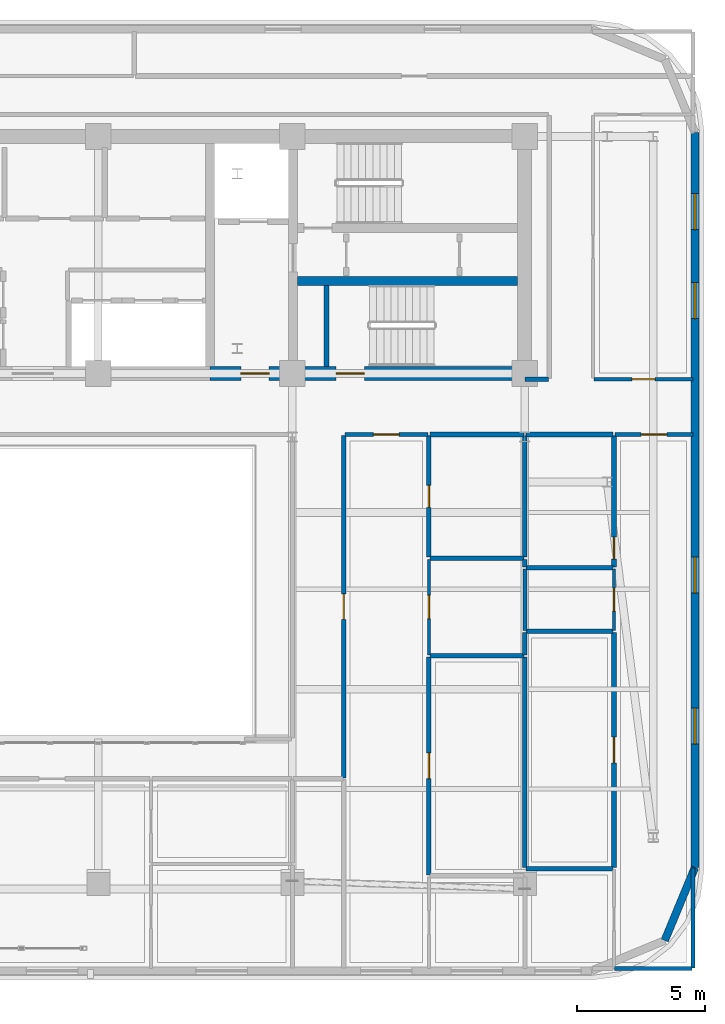
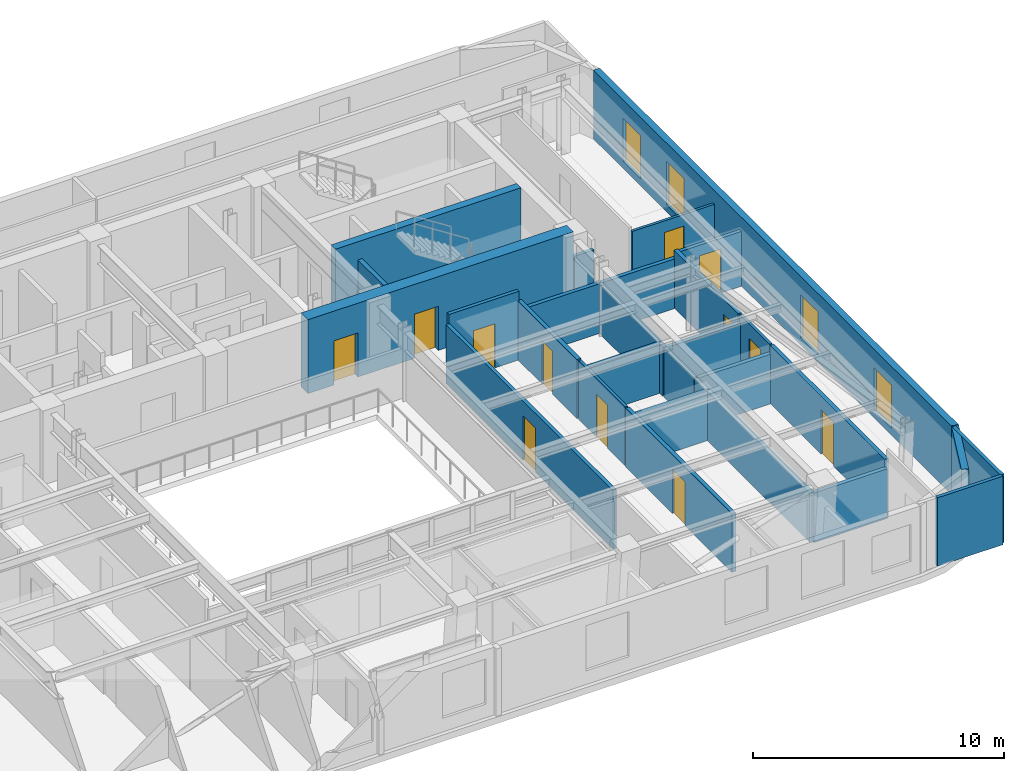
# One storey, part 9 of 15: 30 walls, 12 doors, 4 windows, 16 openings.
"""IFC4 building model written with IfcOpenShell, lengths in metres."""

from ifc_helpers import new_model, si_unit, direction, frame, frame_2d, origin, place, context, subcontext, project, spatial, rectangle, extrude, material, layer, layer_set, type_object, element, fill, save


model = new_model("IFC4")

# Units and contexts
model_context = context("Model", 3, precision=1e-05, world=origin(), true_north=direction((0.0, 1.0)))
body_context = subcontext(model_context, "Body", "Model", "MODEL_VIEW")
ifc_project = project(units=[si_unit("LENGTHUNIT", "METRE"), si_unit("AREAUNIT", "SQUARE_METRE"), si_unit("VOLUMEUNIT", "CUBIC_METRE"), si_unit("PLANEANGLEUNIT", "RADIAN"), si_unit("MASSUNIT", "GRAM", prefix="KILO")], contexts=[model_context])

# Site, building, storey
site_placement = place(None, origin())
site = spatial("IfcSite", under=ifc_project, at=site_placement, CompositionType="ELEMENT")
building_placement = place(site_placement, origin())
building = spatial("IfcBuilding", under=site, at=building_placement, Name="Zarnavel Station Tower", CompositionType="ELEMENT")
storey_placement = place(building_placement, frame((0.0, 0.0, 200.39990234375)))
storey = spatial("IfcBuildingStorey", under=building, at=storey_placement, Name="L54", CompositionType="ELEMENT", Elevation=200.39990234375)

# Wall
ifc_material_1 = material(Name="Concrete C50/60", Category="concrete")
ifc_layer_1 = layer(ifc_material_1, 0.35009765625)
ifc_layer_set_1 = layer_set([ifc_layer_1], Name="CW_350")
wall_type_1 = type_object("IfcWallType", Name="CW_350", PredefinedType="SHEAR", material=ifc_layer_set_1)
wall_1_placement = place(storey_placement, frame((36.554931640625, 31.419921875, 0.0), z_axis=(0.0, 0.0, 1.0), x_axis=(1.0, 0.0, 0.0)))
element("IfcWall", 1, at=wall_1_placement, inside=storey, type_object=wall_type_1, Name="L54 Rear Core Shear Wall DIV-H3", PredefinedType="SHEAR", context=body_context, shape_type="SweptSolid", body=[
    extrude(rectangle(XDim=8.550048828125, YDim=0.35009765625, at=frame_2d((4.27490234375, 0.0))), origin(), (0.0, 0.0, 1.0), 3.60009765625),
])

# Wall, openings, doors
ifc_material_2 = material(Name="Concrete C50/60", Category="concrete")
ifc_layer_2 = layer(ifc_material_2, 0.550048828125)
ifc_layer_set_2 = layer_set([ifc_layer_2], Name="CW_550")
wall_type_2 = type_object("IfcWallType", Name="CW_550", PredefinedType="SHEAR", material=ifc_layer_set_2)
wall_2_placement = place(storey_placement, frame((45.3798828125, 27.820068359375, 0.0), z_axis=(0.0, 0.0, 1.0), x_axis=(-1.0, 0.0, 0.0)))
wall_2 = element("IfcWall", 2, at=wall_2_placement, inside=storey, type_object=wall_type_2, Name="L54 Rear Core Shear Wall S-E", PredefinedType="SHEAR", context=body_context, shape_type="SweptSolid", body=[
    extrude(rectangle(XDim=12.22998046875, YDim=0.550048828125, at=frame_2d((6.114990234375, 0.0))), origin(), (0.0, 0.0, 1.0), 3.60009765625),
])
opening_1_placement = place(wall_2_placement, frame((9.929931640625, 0.0, 0.0)))
opening_1 = element("IfcOpeningElement", 3, at=opening_1_placement, cuts=wall_2, Name="Opening FD01", PredefinedType="OPENING", context=body_context, shape_type="SweptSolid", body=[
    extrude(rectangle(XDim=1.10009765625, YDim=2.14990234375, at=frame_2d((0.550048828125, 1.074951171875))), frame((0.0, 0.284912109375, 0.0), z_axis=(0.0, -1.0, 0.0), x_axis=(1.0, 0.0, 0.0)), (0.0, 0.0, 1.0), 0.570068359375),
])
opening_2_placement = place(wall_2_placement, frame((6.22998046875, 0.0, 0.0)))
opening_2 = element("IfcOpeningElement", 4, at=opening_2_placement, cuts=wall_2, Name="Opening FD01", PredefinedType="OPENING", context=body_context, shape_type="SweptSolid", body=[
    extrude(rectangle(XDim=1.10009765625, YDim=2.14990234375, at=frame_2d((0.550048828125, 1.074951171875))), frame((0.0, 0.284912109375, 0.0), z_axis=(0.0, -1.0, 0.0), x_axis=(1.0, 0.0, 0.0)), (0.0, 0.0, 1.0), 0.570068359375),
])
ifc_material_3 = material(Name="Painted Galvanised Steel and Hardwood Leaf", Category="steel")
door_type_1 = type_object("IfcDoorType", Name="ID_STAIR_1100", OperationType="NOTDEFINED", PredefinedType="DOOR", material=ifc_material_3)
door_1_placement = place(opening_1_placement, origin())
door_1 = element("IfcDoor", 5, at=door_1_placement, inside=storey, type_object=door_type_1, Name="L54 East Firefighting Lobby Door", OperationType="SINGLE_SWING_LEFT", OverallHeight=2.14990234375, OverallWidth=1.10009765625, PredefinedType="DOOR", context=body_context, shape_type="SweptSolid", body=[
    extrude(rectangle(XDim=1.10009765625, YDim=2.14990234375, at=frame_2d((0.550048828125, 1.074951171875))), frame((0.0, 0.02490234375, 0.0), z_axis=(0.0, -1.0, 0.0), x_axis=(1.0, 0.0, 0.0)), (0.0, 0.0, 1.0), 0.050048828125),
])
fill(opening_1, door_1)
door_2_placement = place(opening_2_placement, origin())
door_2 = element("IfcDoor", 6, at=door_2_placement, inside=storey, type_object=door_type_1, Name="L54 Stair ST3 Corridor Fire Door", OperationType="SINGLE_SWING_RIGHT", OverallHeight=2.14990234375, OverallWidth=1.10009765625, PredefinedType="DOOR", context=body_context, shape_type="SweptSolid", body=[
    extrude(rectangle(XDim=1.10009765625, YDim=2.14990234375, at=frame_2d((0.550048828125, 1.074951171875))), frame((0.0, 0.02490234375, 0.0), z_axis=(0.0, -1.0, 0.0), x_axis=(1.0, 0.0, 0.0)), (0.0, 0.0, 1.0), 0.050048828125),
])
fill(opening_2, door_2)

# Wall
ifc_material_4 = material(Name="Precast concrete C45/55 (Dark Basalt Finish)", Category="masonry")
ifc_layer_3 = layer(ifc_material_4, 0.300048828125)
ifc_layer_set_3 = layer_set([ifc_layer_3], Name="EW_BASALT_300")
wall_type_3 = type_object("IfcWallType", Name="EW_BASALT_300", PredefinedType="SOLIDWALL", material=ifc_layer_set_3)
wall_3_placement = place(storey_placement, frame((52.02001953125, 8.60009765625, 0.0), z_axis=(0.0, 0.0, 1.0), x_axis=(-0.382676475685, -0.923882414032, 0.0)))
element("IfcWall", 7, at=wall_3_placement, inside=storey, type_object=wall_type_3, Name="L54 Exterior Basalt Masonry Frame Wall 02", PredefinedType="SOLIDWALL", context=body_context, shape_type="SweptSolid", body=[
    extrude(rectangle(XDim=3.076904296875, YDim=0.300048828125, at=frame_2d((1.53857421875, 0.0))), origin(), (0.0, 0.0, 1.0), 3.340087890625),
])

# Wall, openings, windows
wall_4_placement = place(storey_placement, frame((52.02001953125, 37.199951171875, 0.0), z_axis=(0.0, 0.0, 1.0), x_axis=(0.0, -1.0, 0.0)))
wall_4 = element("IfcWall", 8, at=wall_4_placement, inside=storey, type_object=wall_type_3, Name="L54 Exterior Basalt Masonry Frame Wall 03", PredefinedType="SOLIDWALL", context=body_context, shape_type="SweptSolid", body=[
    extrude(rectangle(XDim=28.599853515625, YDim=0.300048828125, at=frame_2d((14.2998046875, 0.0))), origin(), (0.0, 0.0, 1.0), 3.340087890625),
])
opening_3_placement = place(wall_4_placement, frame((2.3798828125, 0.0, 0.340087890625)))
opening_3 = element("IfcOpeningElement", 9, at=opening_3_placement, cuts=wall_4, Name="Opening WN04", PredefinedType="OPENING", context=body_context, shape_type="SweptSolid", body=[
    extrude(rectangle(XDim=1.39990234375, YDim=2.10009765625, at=frame_2d((0.699951171875, 1.050048828125))), frame((0.0, 0.159912109375, 0.0), z_axis=(0.0, -1.0, 0.0), x_axis=(1.0, 0.0, 0.0)), (0.0, 0.0, 1.0), 0.320068359375),
])
opening_4_placement = place(wall_4_placement, frame((5.840087890625, 0.0, 0.340087890625)))
opening_4 = element("IfcOpeningElement", 10, at=opening_4_placement, cuts=wall_4, Name="Opening WN04", PredefinedType="OPENING", context=body_context, shape_type="SweptSolid", body=[
    extrude(rectangle(XDim=1.39990234375, YDim=2.10009765625, at=frame_2d((0.699951171875, 1.050048828125))), frame((0.0, 0.159912109375, 0.0), z_axis=(0.0, -1.0, 0.0), x_axis=(1.0, 0.0, 0.0)), (0.0, 0.0, 1.0), 0.320068359375),
])
opening_5_placement = place(wall_4_placement, frame((16.526611328125, 0.0, 0.340087890625)))
opening_5 = element("IfcOpeningElement", 11, at=opening_5_placement, cuts=wall_4, Name="Opening WN04", PredefinedType="OPENING", context=body_context, shape_type="SweptSolid", body=[
    extrude(rectangle(XDim=1.39990234375, YDim=2.10009765625, at=frame_2d((0.699951171875, 1.050048828125))), frame((0.0, 0.159912109375, 0.0), z_axis=(0.0, -1.0, 0.0), x_axis=(1.0, 0.0, 0.0)), (0.0, 0.0, 1.0), 0.320068359375),
])
opening_6_placement = place(wall_4_placement, frame((22.4033203125, 0.0, 0.340087890625)))
opening_6 = element("IfcOpeningElement", 12, at=opening_6_placement, cuts=wall_4, Name="Opening WN04", PredefinedType="OPENING", context=body_context, shape_type="SweptSolid", body=[
    extrude(rectangle(XDim=1.39990234375, YDim=2.10009765625, at=frame_2d((0.699951171875, 1.050048828125))), frame((0.0, 0.159912109375, 0.0), z_axis=(0.0, -1.0, 0.0), x_axis=(1.0, 0.0, 0.0)), (0.0, 0.0, 1.0), 0.320068359375),
])
ifc_material_5 = material(Name="Thermally Broken Black Aluminium and Low-E Dark Glass", Category="aluminium")
window_type = type_object("IfcWindowType", Name="WN_1400x2100", PartitioningType="DOUBLE_PANEL_VERTICAL", PredefinedType="WINDOW", material=ifc_material_5)
window_1_placement = place(opening_3_placement, origin())
window_1 = element("IfcWindow", 13, at=window_1_placement, inside=storey, type_object=window_type, Name="L54 Recessed Facade Window 01", OverallHeight=2.10009765625, OverallWidth=1.39990234375, PartitioningType="SINGLE_PANEL", PredefinedType="WINDOW", context=body_context, shape_type="SweptSolid", body=[
    extrude(rectangle(XDim=1.39990234375, YDim=2.10009765625, at=frame_2d((0.699951171875, 1.050048828125))), frame((0.0, 0.030029296875, 0.0), z_axis=(0.0, -1.0, 0.0), x_axis=(1.0, 0.0, 0.0)), (0.0, 0.0, 1.0), 0.06005859375),
])
fill(opening_3, window_1)
window_2_placement = place(opening_4_placement, origin())
window_2 = element("IfcWindow", 14, at=window_2_placement, inside=storey, type_object=window_type, Name="L54 Recessed Facade Window 02", OverallHeight=2.10009765625, OverallWidth=1.39990234375, PartitioningType="SINGLE_PANEL", PredefinedType="WINDOW", context=body_context, shape_type="SweptSolid", body=[
    extrude(rectangle(XDim=1.39990234375, YDim=2.10009765625, at=frame_2d((0.699951171875, 1.050048828125))), frame((0.0, 0.030029296875, 0.0), z_axis=(0.0, -1.0, 0.0), x_axis=(1.0, 0.0, 0.0)), (0.0, 0.0, 1.0), 0.06005859375),
])
fill(opening_4, window_2)
window_3_placement = place(opening_5_placement, origin())
window_3 = element("IfcWindow", 15, at=window_3_placement, inside=storey, type_object=window_type, Name="L54 Recessed Facade Window 03", OverallHeight=2.10009765625, OverallWidth=1.39990234375, PartitioningType="SINGLE_PANEL", PredefinedType="WINDOW", context=body_context, shape_type="SweptSolid", body=[
    extrude(rectangle(XDim=1.39990234375, YDim=2.10009765625, at=frame_2d((0.699951171875, 1.050048828125))), frame((0.0, 0.030029296875, 0.0), z_axis=(0.0, -1.0, 0.0), x_axis=(1.0, 0.0, 0.0)), (0.0, 0.0, 1.0), 0.06005859375),
])
fill(opening_5, window_3)
window_4_placement = place(opening_6_placement, origin())
window_4 = element("IfcWindow", 16, at=window_4_placement, inside=storey, type_object=window_type, Name="L54 Recessed Facade Window 04", OverallHeight=2.10009765625, OverallWidth=1.39990234375, PartitioningType="SINGLE_PANEL", PredefinedType="WINDOW", context=body_context, shape_type="SweptSolid", body=[
    extrude(rectangle(XDim=1.39990234375, YDim=2.10009765625, at=frame_2d((0.699951171875, 1.050048828125))), frame((0.0, 0.030029296875, 0.0), z_axis=(0.0, -1.0, 0.0), x_axis=(1.0, 0.0, 0.0)), (0.0, 0.0, 1.0), 0.06005859375),
])
fill(opening_6, window_4)

# Wall, opening, door
ifc_material_6 = material(Name="Gypsum Twin-Stud Acoustic Fire Partition", Category="concrete")
ifc_layer_4 = layer(ifc_material_6, 0.159912109375)
ifc_layer_set_4 = layer_set([ifc_layer_4], Name="PT_DEMISE_160")
wall_type_4 = type_object("IfcWallType", Name="PT_DEMISE_160", PredefinedType="PARTITIONING", material=ifc_layer_set_4)
wall_5_placement = place(storey_placement, frame((38.389892578125, 25.449951171875, 0.0), z_axis=(0.0, 0.0, 1.0), x_axis=(1.0, 0.0, 0.0)))
wall_5 = element("IfcWall", 17, at=wall_5_placement, inside=storey, type_object=wall_type_4, Name="L54 Partition COR-S-UE1LV", PredefinedType="PARTITIONING", context=body_context, shape_type="SweptSolid", body=[
    extrude(rectangle(XDim=3.233154296875, YDim=0.159912109375, at=frame_2d((1.61669921875, 0.0))), origin(), (0.0, 0.0, 1.0), 3.340087890625),
])
opening_7_placement = place(wall_5_placement, frame((1.116455078125, 0.0, 0.0)))
opening_7 = element("IfcOpeningElement", 18, at=opening_7_placement, cuts=wall_5, Name="Opening FD02", PredefinedType="OPENING", context=body_context, shape_type="SweptSolid", body=[
    extrude(rectangle(XDim=1.0, YDim=2.14990234375, at=frame_2d((0.5, 1.074951171875))), frame((0.0, 0.08984375, 0.0), z_axis=(0.0, -1.0, 0.0), x_axis=(1.0, 0.0, 0.0)), (0.0, 0.0, 1.0), 0.179931640625),
])
ifc_material_7 = material(Name="Painted Galvanised Steel and Hardwood Leaf", Category="steel")
door_type_2 = type_object("IfcDoorType", Name="ID_ENTRY_1000", OperationType="NOTDEFINED", PredefinedType="DOOR", material=ifc_material_7)
door_3_placement = place(opening_7_placement, origin())
door_3 = element("IfcDoor", 19, at=door_3_placement, inside=storey, type_object=door_type_2, Name="L54 Door COR-S-UE1LV", OperationType="SINGLE_SWING_LEFT", OverallHeight=2.14990234375, OverallWidth=1.0, PredefinedType="DOOR", context=body_context, shape_type="SweptSolid", body=[
    extrude(rectangle(XDim=1.0, YDim=2.14990234375, at=frame_2d((0.5, 1.074951171875))), frame((0.0, 0.02490234375, 0.0), z_axis=(0.0, -1.0, 0.0), x_axis=(1.0, 0.0, 0.0)), (0.0, 0.0, 1.0), 0.050048828125),
])
fill(opening_7, door_3)

wall_6_placement = place(storey_placement, frame((48.906005859375, 25.449951171875, 0.0), z_axis=(0.0, 0.0, 1.0), x_axis=(1.0, 0.0, 0.0)))
wall_6 = element("IfcWall", 20, at=wall_6_placement, inside=storey, type_object=wall_type_4, Name="L54 Partition COR-S-UE2LV", PredefinedType="PARTITIONING", context=body_context, shape_type="SweptSolid", body=[
    extrude(rectangle(XDim=3.033935546875, YDim=0.159912109375, at=frame_2d((1.51708984375, 0.0))), origin(), (0.0, 0.0, 1.0), 2.670166015625),
])
opening_8_placement = place(wall_6_placement, frame((1.01708984375, 0.0, 0.0)))
opening_8 = element("IfcOpeningElement", 21, at=opening_8_placement, cuts=wall_6, Name="Opening FD02", PredefinedType="OPENING", context=body_context, shape_type="SweptSolid", body=[
    extrude(rectangle(XDim=1.0, YDim=2.14990234375, at=frame_2d((0.5, 1.074951171875))), frame((0.0, 0.08984375, 0.0), z_axis=(0.0, -1.0, 0.0), x_axis=(1.0, 0.0, 0.0)), (0.0, 0.0, 1.0), 0.179931640625),
])
door_4_placement = place(opening_8_placement, origin())
door_4 = element("IfcDoor", 22, at=door_4_placement, inside=storey, type_object=door_type_2, Name="L54 Door COR-S-UE2LV", OperationType="SINGLE_SWING_RIGHT", OverallHeight=2.14990234375, OverallWidth=1.0, PredefinedType="DOOR", context=body_context, shape_type="SweptSolid", body=[
    extrude(rectangle(XDim=1.0, YDim=2.14990234375, at=frame_2d((0.5, 1.074951171875))), frame((0.0, 0.02490234375, 0.0), z_axis=(0.0, -1.0, 0.0), x_axis=(1.0, 0.0, 0.0)), (0.0, 0.0, 1.0), 0.050048828125),
])
fill(opening_8, door_4)

wall_7_placement = place(storey_placement, frame((38.35009765625, 12.090087890625, 0.0), z_axis=(0.0, 0.0, 1.0), x_axis=(0.0, 1.0, 0.0)))
wall_7 = element("IfcWall", 23, at=wall_7_placement, inside=storey, type_object=wall_type_4, Name="L54 Partition COR-AE-UE1LV", PredefinedType="PARTITIONING", context=body_context, shape_type="SweptSolid", body=[
    extrude(rectangle(XDim=13.31982421875, YDim=0.159912109375, at=frame_2d((6.659912109375, 0.0))), origin(), (0.0, 0.0, 1.0), 2.8701171875),
])
opening_9_placement = place(wall_7_placement, frame((6.159912109375, 0.0, 0.0)))
opening_9 = element("IfcOpeningElement", 24, at=opening_9_placement, cuts=wall_7, Name="Opening FD02", PredefinedType="OPENING", context=body_context, shape_type="SweptSolid", body=[
    extrude(rectangle(XDim=1.0, YDim=2.14990234375, at=frame_2d((0.5, 1.074951171875))), frame((0.0, 0.08984375, 0.0), z_axis=(0.0, -1.0, 0.0), x_axis=(1.0, 0.0, 0.0)), (0.0, 0.0, 1.0), 0.179931640625),
])
door_5_placement = place(opening_9_placement, origin())
door_5 = element("IfcDoor", 25, at=door_5_placement, inside=storey, type_object=door_type_2, Name="L54 Door COR-AE-UE1LV", OperationType="SINGLE_SWING_RIGHT", OverallHeight=2.14990234375, OverallWidth=1.0, PredefinedType="DOOR", context=body_context, shape_type="SweptSolid", body=[
    extrude(rectangle(XDim=1.0, YDim=2.14990234375, at=frame_2d((0.5, 1.074951171875))), frame((0.0, 0.02490234375, 0.0), z_axis=(0.0, -1.0, 0.0), x_axis=(1.0, 0.0, 0.0)), (0.0, 0.0, 1.0), 0.050048828125),
])
fill(opening_9, door_5)

# Walls
wall_8_placement = place(storey_placement, frame((45.39990234375, 17.827880859375, 0.0), z_axis=(0.0, 0.0, 1.0), x_axis=(0.0, 1.0, 0.0)))
element("IfcWall", 26, at=wall_8_placement, inside=storey, type_object=wall_type_4, Name="L54 Partition UE1UT-UE2UT", PredefinedType="PARTITIONING", context=body_context, shape_type="SweptSolid", body=[
    extrude(rectangle(XDim=2.38916015625, YDim=0.159912109375, at=frame_2d((1.194580078125, 0.0))), origin(), (0.0, 0.0, 1.0), 2.420166015625),
])
wall_9_placement = place(storey_placement, frame((45.409912109375, 27.60009765625, 0.0), z_axis=(0.0, 0.0, 1.0), x_axis=(1.0, 0.0, 0.0)))
element("IfcWall", 27, at=wall_9_placement, inside=storey, type_object=wall_type_4, Name="L54 Enclosure Wall COR-S", PredefinedType="PARTITIONING", context=body_context, shape_type="SweptSolid", body=[
    extrude(rectangle(XDim=0.91015625, YDim=0.159912109375, at=frame_2d((0.455078125, 0.0))), origin(), (0.0, 0.0, 1.0), 2.41015625),
])
wall_10_placement = place(storey_placement, frame((48.89599609375, 4.659912109375, 0.0), z_axis=(0.0, 0.0, 1.0), x_axis=(1.0, 0.0, 0.0)))
element("IfcWall", 28, at=wall_10_placement, inside=storey, type_object=wall_type_4, Name="L54 Enclosure Wall UE2LV", PredefinedType="PARTITIONING", context=body_context, shape_type="SweptSolid", body=[
    extrude(rectangle(XDim=3.013916015625, YDim=0.159912109375, at=frame_2d((1.5068359375, 0.0))), origin(), (0.0, 0.0, 1.0), 3.340087890625),
])
wall_11_placement = place(storey_placement, frame((51.93994140625, 4.68994140625, 0.0), z_axis=(0.0, 0.0, 1.0), x_axis=(0.0, 1.0, 0.0)))
element("IfcWall", 29, at=wall_11_placement, inside=storey, type_object=wall_type_4, Name="L54 Enclosure Wall UE2LV", PredefinedType="PARTITIONING", context=body_context, shape_type="SweptSolid", body=[
    extrude(rectangle(XDim=3.880126953125, YDim=0.159912109375, at=frame_2d((1.93994140625, 0.0))), origin(), (0.0, 0.0, 1.0), 3.340087890625),
])

# Wall, opening, door
ifc_material_8 = material(Name="Gypsum Metal-Stud Interior Partition", Category="concrete")
ifc_layer_5 = layer(ifc_material_8, 0.1201171875)
ifc_layer_set_5 = layer_set([ifc_layer_5], Name="PT_ROOM_120")
wall_type_5 = type_object("IfcWallType", Name="PT_ROOM_120", PredefinedType="PARTITIONING", material=ifc_layer_set_5)
wall_12_placement = place(storey_placement, frame((48.090087890625, 27.60009765625, 0.0), z_axis=(0.0, 0.0, 1.0), x_axis=(1.0, 0.0, 0.0)))
wall_12 = element("IfcWall", 30, at=wall_12_placement, inside=storey, type_object=wall_type_5, Name="L54 Partition COR-S-FNE", PredefinedType="PARTITIONING", context=body_context, shape_type="SweptSolid", body=[
    extrude(rectangle(XDim=3.849853515625, YDim=0.1201171875, at=frame_2d((1.9248046875, 0.0))), origin(), (0.0, 0.0, 1.0), 2.670166015625),
])
opening_10_placement = place(wall_12_placement, frame((1.47509765625, 0.0, 0.0)))
opening_10 = element("IfcOpeningElement", 31, at=opening_10_placement, cuts=wall_12, Name="Opening ID01", PredefinedType="OPENING", context=body_context, shape_type="SweptSolid", body=[
    extrude(rectangle(XDim=0.89990234375, YDim=2.10009765625, at=frame_2d((0.449951171875, 1.050048828125))), frame((0.0, 0.070068359375, 0.0), z_axis=(0.0, -1.0, 0.0), x_axis=(1.0, 0.0, 0.0)), (0.0, 0.0, 1.0), 0.14013671875),
])
ifc_material_9 = material(Name="Painted Galvanised Steel and Hardwood Leaf", Category="steel")
door_type_3 = type_object("IfcDoorType", Name="ID_ROOM_900", OperationType="NOTDEFINED", PredefinedType="DOOR", material=ifc_material_9)
door_6_placement = place(opening_10_placement, origin())
door_6 = element("IfcDoor", 32, at=door_6_placement, inside=storey, type_object=door_type_3, Name="L54 Door COR-S-FNE", OperationType="SINGLE_SWING_RIGHT", OverallHeight=2.10009765625, OverallWidth=0.89990234375, PredefinedType="DOOR", context=body_context, shape_type="SweptSolid", body=[
    extrude(rectangle(XDim=0.89990234375, YDim=2.10009765625, at=frame_2d((0.449951171875, 1.050048828125))), frame((0.0, 0.02490234375, 0.0), z_axis=(0.0, -1.0, 0.0), x_axis=(1.0, 0.0, 0.0)), (0.0, 0.0, 1.0), 0.050048828125),
])
fill(opening_10, door_6)

wall_13_placement = place(storey_placement, frame((41.6630859375, 16.8759765625, 0.0), z_axis=(0.0, 0.0, 1.0), x_axis=(0.0, 1.0, 0.0)))
wall_13 = element("IfcWall", 33, at=wall_13_placement, inside=storey, type_object=wall_type_5, Name="L54 Partition UE1LV-UE1UT", PredefinedType="PARTITIONING", context=body_context, shape_type="SweptSolid", body=[
    extrude(rectangle(XDim=3.717041015625, YDim=0.1201171875, at=frame_2d((1.8583984375, 0.0))), origin(), (0.0, 0.0, 1.0), 2.8701171875),
])
opening_11_placement = place(wall_13_placement, frame((1.408447265625, 0.0, 0.0)))
opening_11 = element("IfcOpeningElement", 34, at=opening_11_placement, cuts=wall_13, Name="Opening ID01", PredefinedType="OPENING", context=body_context, shape_type="SweptSolid", body=[
    extrude(rectangle(XDim=0.89990234375, YDim=2.10009765625, at=frame_2d((0.449951171875, 1.050048828125))), frame((0.0, 0.070068359375, 0.0), z_axis=(0.0, -1.0, 0.0), x_axis=(1.0, 0.0, 0.0)), (0.0, 0.0, 1.0), 0.14013671875),
])
door_7_placement = place(opening_11_placement, origin())
door_7 = element("IfcDoor", 35, at=door_7_placement, inside=storey, type_object=door_type_3, Name="L54 Door UE1LV-UE1UT", OperationType="SINGLE_SWING_RIGHT", OverallHeight=2.10009765625, OverallWidth=0.89990234375, PredefinedType="DOOR", context=body_context, shape_type="SweptSolid", body=[
    extrude(rectangle(XDim=0.89990234375, YDim=2.10009765625, at=frame_2d((0.449951171875, 1.050048828125))), frame((0.0, 0.02490234375, 0.0), z_axis=(0.0, -1.0, 0.0), x_axis=(1.0, 0.0, 0.0)), (0.0, 0.0, 1.0), 0.050048828125),
])
fill(opening_11, door_7)

wall_14_placement = place(storey_placement, frame((48.865966796875, 17.827880859375, 0.0), z_axis=(0.0, 0.0, 1.0), x_axis=(0.0, 1.0, 0.0)))
wall_14 = element("IfcWall", 36, at=wall_14_placement, inside=storey, type_object=wall_type_5, Name="L54 Partition UE2LV-UE2UT", PredefinedType="PARTITIONING", context=body_context, shape_type="SweptSolid", body=[
    extrude(rectangle(XDim=2.38916015625, YDim=0.1201171875, at=frame_2d((1.194580078125, 0.0))), origin(), (0.0, 0.0, 1.0), 2.820068359375),
])
opening_12_placement = place(wall_14_placement, frame((0.744384765625, 0.0, 0.0)))
opening_12 = element("IfcOpeningElement", 37, at=opening_12_placement, cuts=wall_14, Name="Opening ID01", PredefinedType="OPENING", context=body_context, shape_type="SweptSolid", body=[
    extrude(rectangle(XDim=0.89990234375, YDim=2.10009765625, at=frame_2d((0.449951171875, 1.050048828125))), frame((0.0, 0.070068359375, 0.0), z_axis=(0.0, -1.0, 0.0), x_axis=(1.0, 0.0, 0.0)), (0.0, 0.0, 1.0), 0.14013671875),
])
door_8_placement = place(opening_12_placement, origin())
door_8 = element("IfcDoor", 38, at=door_8_placement, inside=storey, type_object=door_type_3, Name="L54 Door UE2LV-UE2UT", OperationType="SINGLE_SWING_RIGHT", OverallHeight=2.10009765625, OverallWidth=0.89990234375, PredefinedType="DOOR", context=body_context, shape_type="SweptSolid", body=[
    extrude(rectangle(XDim=0.89990234375, YDim=2.10009765625, at=frame_2d((0.449951171875, 1.050048828125))), frame((0.0, 0.02490234375, 0.0), z_axis=(0.0, -1.0, 0.0), x_axis=(1.0, 0.0, 0.0)), (0.0, 0.0, 1.0), 0.050048828125),
])
fill(opening_12, door_8)

# Walls
ifc_material_10 = material(Name="Precast concrete C45/55 (Fire Shaft Blockwork)", Category="masonry")
ifc_layer_6 = layer(ifc_material_10, 0.199951171875)
ifc_layer_set_6 = layer_set([ifc_layer_6], Name="PT_SHAFT_200")
wall_type_6 = type_object("IfcWallType", Name="PT_SHAFT_200", PredefinedType="PARTITIONING", material=ifc_layer_set_6)
wall_15_placement = place(storey_placement, frame((37.679931640625, 28.094970703125, 0.0), z_axis=(0.0, 0.0, 1.0), x_axis=(0.0, 1.0, 0.0)))
element("IfcWall", 39, at=wall_15_placement, inside=storey, type_object=wall_type_6, Name="L54 Stair ST3 West Shaft Wall", PredefinedType="PARTITIONING", context=body_context, shape_type="SweptSolid", body=[
    extrude(rectangle(XDim=3.155029296875, YDim=0.199951171875, at=frame_2d((1.57763671875, 0.0))), origin(), (0.0, 0.0, 1.0), 2.72021484375),
])
ifc_material_11 = material(Name="Moisture-Resistant Plumbing Chase Wall", Category="concrete")
ifc_layer_7 = layer(ifc_material_11, 0.179931640625)
ifc_layer_set_7 = layer_set([ifc_layer_7], Name="PW_PLUMB_180")
wall_type_7 = type_object("IfcWallType", Name="PW_PLUMB_180", PredefinedType="PLUMBINGWALL", material=ifc_layer_set_7)
wall_16_placement = place(storey_placement, frame((41.702880859375, 25.449951171875, 0.0), z_axis=(0.0, 0.0, 1.0), x_axis=(1.0, 0.0, 0.0)))
element("IfcWall", 40, at=wall_16_placement, inside=storey, type_object=wall_type_7, Name="L54 Partition COR-S-UE1BA", PredefinedType="PLUMBINGWALL", context=body_context, shape_type="SweptSolid", body=[
    extrude(rectangle(XDim=3.6572265625, YDim=0.179931640625, at=frame_2d((1.82861328125, 0.0))), origin(), (0.0, 0.0, 1.0), 2.420166015625),
])
wall_17_placement = place(storey_placement, frame((45.43994140625, 25.449951171875, 0.0), z_axis=(0.0, 0.0, 1.0), x_axis=(1.0, 0.0, 0.0)))
element("IfcWall", 41, at=wall_17_placement, inside=storey, type_object=wall_type_7, Name="L54 Partition COR-S-UE2BA", PredefinedType="PLUMBINGWALL", context=body_context, shape_type="SweptSolid", body=[
    extrude(rectangle(XDim=3.385986328125, YDim=0.179931640625, at=frame_2d((1.69287109375, 0.0))), origin(), (0.0, 0.0, 1.0), 2.420166015625),
])

# Wall, opening, door
wall_18_placement = place(storey_placement, frame((41.6630859375, 8.31298828125, 0.0), z_axis=(0.0, 0.0, 1.0), x_axis=(0.0, 1.0, 0.0)))
wall_18 = element("IfcWall", 42, at=wall_18_placement, inside=storey, type_object=wall_type_7, Name="L54 Partition UE1LV-UE1KT", PredefinedType="PLUMBINGWALL", context=body_context, shape_type="SweptSolid", body=[
    extrude(rectangle(XDim=8.48291015625, YDim=0.179931640625, at=frame_2d((4.241455078125, 0.0))), origin(), (0.0, 0.0, 1.0), 2.8701171875),
])
opening_13_placement = place(wall_18_placement, frame((3.741455078125, 0.0, 0.0)))
opening_13 = element("IfcOpeningElement", 43, at=opening_13_placement, cuts=wall_18, Name="Opening FD02", PredefinedType="OPENING", context=body_context, shape_type="SweptSolid", body=[
    extrude(rectangle(XDim=1.0, YDim=2.14990234375, at=frame_2d((0.5, 1.074951171875))), frame((0.0, 0.099853515625, 0.0), z_axis=(0.0, -1.0, 0.0), x_axis=(1.0, 0.0, 0.0)), (0.0, 0.0, 1.0), 0.199951171875),
])
door_9_placement = place(opening_13_placement, origin())
door_9 = element("IfcDoor", 44, at=door_9_placement, inside=storey, type_object=door_type_2, Name="L54 Door UE1LV-UE1KT", OperationType="SINGLE_SWING_LEFT", OverallHeight=2.14990234375, OverallWidth=1.0, PredefinedType="DOOR", context=body_context, shape_type="SweptSolid", body=[
    extrude(rectangle(XDim=1.0, YDim=2.14990234375, at=frame_2d((0.5, 1.074951171875))), frame((0.0, 0.02490234375, 0.0), z_axis=(0.0, -1.0, 0.0), x_axis=(1.0, 0.0, 0.0)), (0.0, 0.0, 1.0), 0.050048828125),
])
fill(opening_13, door_9)

wall_19_placement = place(storey_placement, frame((41.6630859375, 20.673095703125, 0.0), z_axis=(0.0, 0.0, 1.0), x_axis=(0.0, 1.0, 0.0)))
wall_19 = element("IfcWall", 45, at=wall_19_placement, inside=storey, type_object=wall_type_7, Name="L54 Partition UE1LV-UE1BA", PredefinedType="PLUMBINGWALL", context=body_context, shape_type="SweptSolid", body=[
    extrude(rectangle(XDim=4.73681640625, YDim=0.179931640625, at=frame_2d((2.368408203125, 0.0))), origin(), (0.0, 0.0, 1.0), 2.880126953125),
])
opening_14_placement = place(wall_19_placement, frame((1.943603515625, 0.0, 0.0)))
opening_14 = element("IfcOpeningElement", 46, at=opening_14_placement, cuts=wall_19, Name="Opening ID02", PredefinedType="OPENING", context=body_context, shape_type="SweptSolid", body=[
    extrude(rectangle(XDim=0.85009765625, YDim=2.10009765625, at=frame_2d((0.425048828125, 1.050048828125))), frame((0.0, 0.099853515625, 0.0), z_axis=(0.0, -1.0, 0.0), x_axis=(1.0, 0.0, 0.0)), (0.0, 0.0, 1.0), 0.199951171875),
])
ifc_material_12 = material(Name="Painted Galvanised Steel and Hardwood Leaf", Category="steel")
door_type_4 = type_object("IfcDoorType", Name="ID_BATH_850", OperationType="NOTDEFINED", PredefinedType="DOOR", material=ifc_material_12)
door_10_placement = place(opening_14_placement, origin())
door_10 = element("IfcDoor", 47, at=door_10_placement, inside=storey, type_object=door_type_4, Name="L54 Door UE1LV-UE1BA", OperationType="SINGLE_SWING_LEFT", OverallHeight=2.10009765625, OverallWidth=0.85009765625, PredefinedType="DOOR", context=body_context, shape_type="SweptSolid", body=[
    extrude(rectangle(XDim=0.85009765625, YDim=2.10009765625, at=frame_2d((0.425048828125, 1.050048828125))), frame((0.0, 0.02490234375, 0.0), z_axis=(0.0, -1.0, 0.0), x_axis=(1.0, 0.0, 0.0)), (0.0, 0.0, 1.0), 0.050048828125),
])
fill(opening_14, door_10)

# Walls
wall_20_placement = place(storey_placement, frame((41.702880859375, 16.8359375, 0.0), z_axis=(0.0, 0.0, 1.0), x_axis=(1.0, 0.0, 0.0)))
element("IfcWall", 48, at=wall_20_placement, inside=storey, type_object=wall_type_7, Name="L54 Partition UE1KT-UE1UT", PredefinedType="PLUMBINGWALL", context=body_context, shape_type="SweptSolid", body=[
    extrude(rectangle(XDim=3.6572265625, YDim=0.179931640625, at=frame_2d((1.82861328125, 0.0))), origin(), (0.0, 0.0, 1.0), 2.420166015625),
])
wall_21_placement = place(storey_placement, frame((45.39990234375, 8.594970703125, 0.0), z_axis=(0.0, 0.0, 1.0), x_axis=(0.0, 1.0, 0.0)))
element("IfcWall", 49, at=wall_21_placement, inside=storey, type_object=wall_type_7, Name="L54 Partition UE1KT-UE2KT", PredefinedType="PLUMBINGWALL", context=body_context, shape_type="SweptSolid", body=[
    extrude(rectangle(XDim=8.200927734375, YDim=0.179931640625, at=frame_2d((4.1005859375, 0.0))), origin(), (0.0, 0.0, 1.0), 2.420166015625),
])
wall_22_placement = place(storey_placement, frame((41.702880859375, 20.633056640625, 0.0), z_axis=(0.0, 0.0, 1.0), x_axis=(1.0, 0.0, 0.0)))
element("IfcWall", 50, at=wall_22_placement, inside=storey, type_object=wall_type_7, Name="L54 Partition UE1UT-UE1BA", PredefinedType="PLUMBINGWALL", context=body_context, shape_type="SweptSolid", body=[
    extrude(rectangle(XDim=3.6572265625, YDim=0.179931640625, at=frame_2d((1.82861328125, 0.0))), origin(), (0.0, 0.0, 1.0), 2.420166015625),
])
wall_23_placement = place(storey_placement, frame((45.39990234375, 16.8759765625, 0.0), z_axis=(0.0, 0.0, 1.0), x_axis=(0.0, 1.0, 0.0)))
element("IfcWall", 51, at=wall_23_placement, inside=storey, type_object=wall_type_7, Name="L54 Partition UE1UT-UE2KT", PredefinedType="PLUMBINGWALL", context=body_context, shape_type="SweptSolid", body=[
    extrude(rectangle(XDim=0.8720703125, YDim=0.179931640625, at=frame_2d((0.43603515625, 0.0))), origin(), (0.0, 0.0, 1.0), 2.420166015625),
])
wall_24_placement = place(storey_placement, frame((45.39990234375, 20.297119140625, 0.0), z_axis=(0.0, 0.0, 1.0), x_axis=(0.0, 1.0, 0.0)))
element("IfcWall", 52, at=wall_24_placement, inside=storey, type_object=wall_type_7, Name="L54 Partition UE1UT-UE2BA", PredefinedType="PLUMBINGWALL", context=body_context, shape_type="SweptSolid", body=[
    extrude(rectangle(XDim=0.2958984375, YDim=0.179931640625, at=frame_2d((0.14794921875, 0.0))), origin(), (0.0, 0.0, 1.0), 2.420166015625),
])
wall_25_placement = place(storey_placement, frame((45.39990234375, 20.673095703125, 0.0), z_axis=(0.0, 0.0, 1.0), x_axis=(0.0, 1.0, 0.0)))
element("IfcWall", 53, at=wall_25_placement, inside=storey, type_object=wall_type_7, Name="L54 Partition UE1BA-UE2BA", PredefinedType="PLUMBINGWALL", context=body_context, shape_type="SweptSolid", body=[
    extrude(rectangle(XDim=4.73681640625, YDim=0.179931640625, at=frame_2d((2.368408203125, 0.0))), origin(), (0.0, 0.0, 1.0), 2.420166015625),
])

# Wall, opening, door
wall_26_placement = place(storey_placement, frame((48.865966796875, 8.594970703125, 0.0), z_axis=(0.0, 0.0, 1.0), x_axis=(0.0, 1.0, 0.0)))
wall_26 = element("IfcWall", 54, at=wall_26_placement, inside=storey, type_object=wall_type_7, Name="L54 Partition UE2LV-UE2KT", PredefinedType="PLUMBINGWALL", context=body_context, shape_type="SweptSolid", body=[
    extrude(rectangle(XDim=9.153076171875, YDim=0.179931640625, at=frame_2d((4.57666015625, 0.0))), origin(), (0.0, 0.0, 1.0), 2.820068359375),
])
opening_15_placement = place(wall_26_placement, frame((4.076416015625, 0.0, 0.0)))
opening_15 = element("IfcOpeningElement", 55, at=opening_15_placement, cuts=wall_26, Name="Opening FD02", PredefinedType="OPENING", context=body_context, shape_type="SweptSolid", body=[
    extrude(rectangle(XDim=1.0, YDim=2.14990234375, at=frame_2d((0.5, 1.074951171875))), frame((0.0, 0.099853515625, 0.0), z_axis=(0.0, -1.0, 0.0), x_axis=(1.0, 0.0, 0.0)), (0.0, 0.0, 1.0), 0.199951171875),
])
door_11_placement = place(opening_15_placement, origin())
door_11 = element("IfcDoor", 56, at=door_11_placement, inside=storey, type_object=door_type_2, Name="L54 Door UE2LV-UE2KT", OperationType="SINGLE_SWING_LEFT", OverallHeight=2.14990234375, OverallWidth=1.0, PredefinedType="DOOR", context=body_context, shape_type="SweptSolid", body=[
    extrude(rectangle(XDim=1.0, YDim=2.14990234375, at=frame_2d((0.5, 1.074951171875))), frame((0.0, 0.02490234375, 0.0), z_axis=(0.0, -1.0, 0.0), x_axis=(1.0, 0.0, 0.0)), (0.0, 0.0, 1.0), 0.050048828125),
])
fill(opening_15, door_11)

wall_27_placement = place(storey_placement, frame((48.865966796875, 20.297119140625, 0.0), z_axis=(0.0, 0.0, 1.0), x_axis=(0.0, 1.0, 0.0)))
wall_27 = element("IfcWall", 57, at=wall_27_placement, inside=storey, type_object=wall_type_7, Name="L54 Partition UE2LV-UE2BA", PredefinedType="PLUMBINGWALL", context=body_context, shape_type="SweptSolid", body=[
    extrude(rectangle(XDim=5.11279296875, YDim=0.179931640625, at=frame_2d((2.556396484375, 0.0))), origin(), (0.0, 0.0, 1.0), 2.820068359375),
])
opening_16_placement = place(wall_27_placement, frame((0.305908203125, 0.0, 0.0)))
opening_16 = element("IfcOpeningElement", 58, at=opening_16_placement, cuts=wall_27, Name="Opening ID02", PredefinedType="OPENING", context=body_context, shape_type="SweptSolid", body=[
    extrude(rectangle(XDim=0.85009765625, YDim=2.10009765625, at=frame_2d((0.425048828125, 1.050048828125))), frame((0.0, 0.099853515625, 0.0), z_axis=(0.0, -1.0, 0.0), x_axis=(1.0, 0.0, 0.0)), (0.0, 0.0, 1.0), 0.199951171875),
])
door_12_placement = place(opening_16_placement, origin())
door_12 = element("IfcDoor", 59, at=door_12_placement, inside=storey, type_object=door_type_4, Name="L54 Door UE2LV-UE2BA", OperationType="SINGLE_SWING_LEFT", OverallHeight=2.10009765625, OverallWidth=0.85009765625, PredefinedType="DOOR", context=body_context, shape_type="SweptSolid", body=[
    extrude(rectangle(XDim=0.85009765625, YDim=2.10009765625, at=frame_2d((0.425048828125, 1.050048828125))), frame((0.0, 0.02490234375, 0.0), z_axis=(0.0, -1.0, 0.0), x_axis=(1.0, 0.0, 0.0)), (0.0, 0.0, 1.0), 0.050048828125),
])
fill(opening_16, door_12)

# Walls
for number, where, z_axis, x_axis, name in (
    (60, (45.43994140625, 8.554931640625, 0.0), (0.0, 0.0, 1.0), (1.0, 0.0, 0.0), "L54 Partition UE2B1-UE2KT"),
    (61, (45.43994140625, 17.7880859375, 0.0), (0.0, 0.0, 1.0), (1.0, 0.0, 0.0), "L54 Partition UE2KT-UE2UT"),
    (62, (45.43994140625, 20.257080078125, 0.0), (0.0, 0.0, 1.0), (1.0, 0.0, 0.0), "L54 Partition UE2UT-UE2BA"),
):
    element("IfcWall", number, at=place(storey_placement, frame(where, z_axis=z_axis, x_axis=x_axis)), inside=storey, type_object=wall_type_7, Name=name, PredefinedType="PLUMBINGWALL", context=body_context, shape_type="SweptSolid", body=[
        extrude(rectangle(XDim=3.385986328125, YDim=0.179931640625, at=frame_2d((1.69287109375, 0.0))), origin(), (0.0, 0.0, 1.0), 2.420166015625),
    ])

save(model, "model.ifc")
